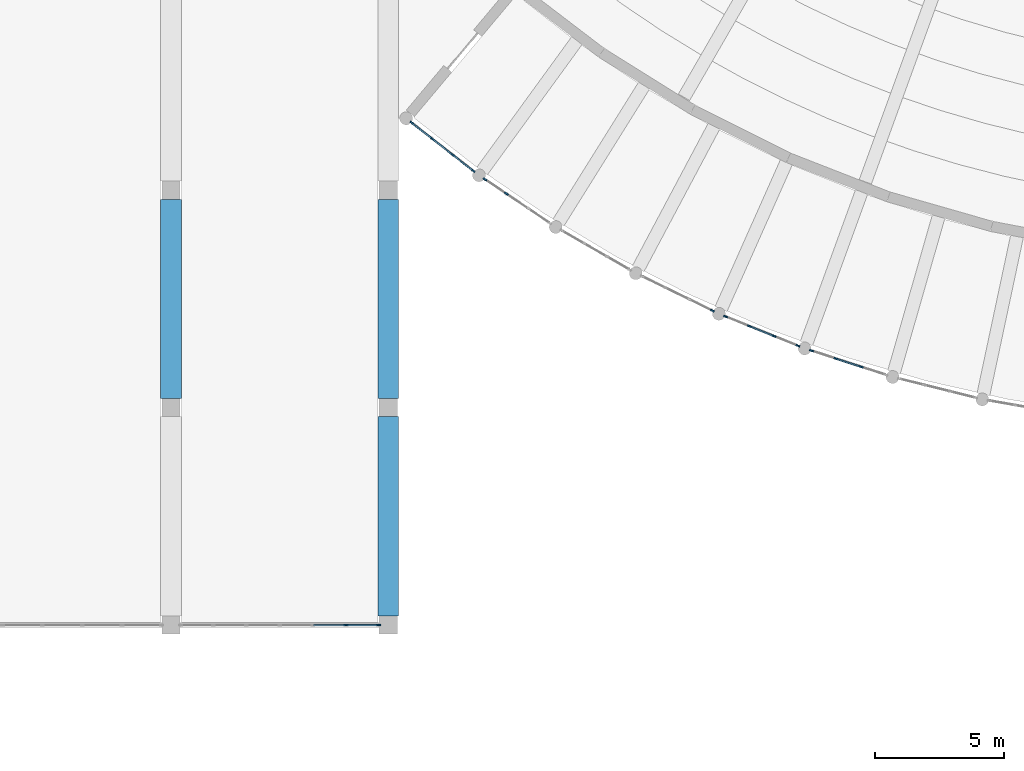
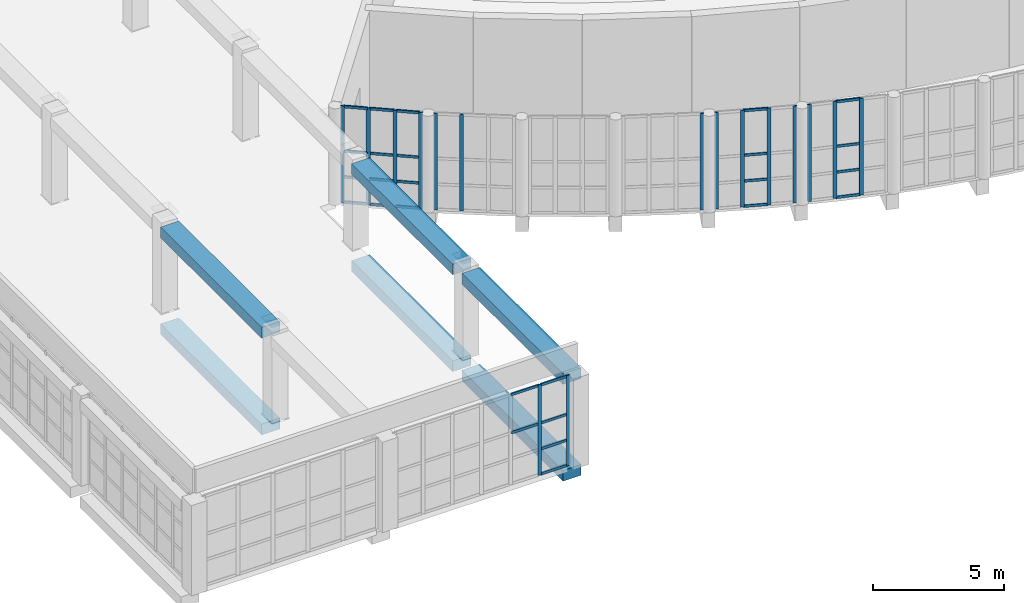
# One storey, part 38 of 162: 42 members, 6 beams, 6 elements without a shape of their own.
"""IFC4 building model written with IfcOpenShell, lengths in metres."""

from ifc_helpers import new_model, si_unit, direction, frame, origin, origin_2d, place, context, subcontext, project, spatial, rectangle, extrude, material, layer, layer_set, material_profile, profile_set, type_object, element, aggregate, save


model = new_model("IFC4")

# Units and contexts
model_context = context("Model", 3, precision=1e-05, world=origin(), true_north=direction((0.0, 1.0)))
body_context = subcontext(model_context, "Body", "Model", "MODEL_VIEW")
ifc_project = project(units=[si_unit("LENGTHUNIT", "METRE"), si_unit("AREAUNIT", "SQUARE_METRE"), si_unit("VOLUMEUNIT", "CUBIC_METRE"), si_unit("PLANEANGLEUNIT", "RADIAN"), si_unit("MASSUNIT", "GRAM", prefix="KILO")], contexts=[model_context])

# Site, building, storey
site_placement = place(None, origin())
site = spatial("IfcSite", under=ifc_project, at=site_placement, CompositionType="ELEMENT")
building_placement = place(site_placement, origin())
building = spatial("IfcBuilding", under=site, at=building_placement, Name="Rain Tree Exposition and Congress Centre", CompositionType="ELEMENT")
storey_placement = place(building_placement, frame((0.0, 0.0, 6.0)))
storey = spatial("IfcBuildingStorey", under=building, at=storey_placement, Name="L01", CompositionType="ELEMENT", Elevation=6.0)

# Curtain wall, members
ifc_material_1 = material(Name="Aluminium", Category="aluminium")
ifc_layer = layer(ifc_material_1, 0.10009765625)
ifc_layer_set = layer_set([ifc_layer], Name="Aluminium")
curtain_wall_type = type_object("IfcCurtainWallType", Name="Curtain wall congress", PredefinedType="NOTDEFINED", material=ifc_layer_set)
curtain_wall_1_placement = place(storey_placement, origin())
curtain_wall_1 = element("IfcCurtainWall", 1, at=curtain_wall_1_placement, inside=storey, type_object=curtain_wall_type, Name="Curtain wall L01 bay 1", PredefinedType="NOTDEFINED")
ifc_material_2 = material(Name="Aluminium", Category="aluminium")
ifc_material_profile_1 = material_profile(ifc_material_2, rectangle(XDim=0.06005859375, YDim=0.159912109375, at=origin_2d()), Name="AL 60x160")
ifc_profile_set_1 = profile_set([ifc_material_profile_1], Name="Aluminium")
member_type_1 = type_object("IfcMemberType", Name="Curtain wall mullion 60x160 congress", PredefinedType="MULLION", material=ifc_profile_set_1)
member_1_placement = place(storey_placement, frame((168.909912109375, 27.80615234375, 0.0), z_axis=(0.0, 0.0, 1.0), x_axis=(0.615671189348, 0.788003164084, 0.0)))
member_1 = element("IfcMember", 2, at=member_1_placement, type_object=member_type_1, Name="CWG201 mullion 1", PredefinedType="MULLION", context=body_context, shape_type="SweptSolid", body=[
    extrude(rectangle(XDim=0.06005859375, YDim=0.159912109375, at=origin_2d()), origin(), (0.0, 0.0, 1.0), 4.5),
])
member_2_placement = place(storey_placement, frame((169.693603515625, 27.19384765625, 0.0), z_axis=(0.0, 0.0, 1.0), x_axis=(0.615671189348, 0.788003164084, 0.0)))
member_2 = element("IfcMember", 3, at=member_2_placement, type_object=member_type_1, Name="CWG201 mullion 2", PredefinedType="MULLION", context=body_context, shape_type="SweptSolid", body=[
    extrude(rectangle(XDim=0.06005859375, YDim=0.159912109375, at=origin_2d()), origin(), (0.0, 0.0, 1.0), 4.5),
])
member_3_placement = place(storey_placement, frame((170.5009765625, 26.56298828125, 0.0), z_axis=(0.0, 0.0, 1.0), x_axis=(0.615671189348, 0.788003164084, 0.0)))
member_3 = element("IfcMember", 4, at=member_3_placement, type_object=member_type_1, Name="CWG201 mullion 3", PredefinedType="MULLION", context=body_context, shape_type="SweptSolid", body=[
    extrude(rectangle(XDim=0.06005859375, YDim=0.159912109375, at=origin_2d()), origin(), (0.0, 0.0, 1.0), 4.5),
])
member_4_placement = place(storey_placement, frame((171.28466796875, 25.95068359375, 0.0), z_axis=(0.0, 0.0, 1.0), x_axis=(0.615671189348, 0.788003164084, 0.0)))
member_4 = element("IfcMember", 5, at=member_4_placement, type_object=member_type_1, Name="CWG201 mullion 4", PredefinedType="MULLION", context=body_context, shape_type="SweptSolid", body=[
    extrude(rectangle(XDim=0.06005859375, YDim=0.159912109375, at=origin_2d()), origin(), (0.0, 0.0, 1.0), 4.5),
])

curtain_wall_2_placement = place(storey_placement, origin())
curtain_wall_2 = element("IfcCurtainWall", 6, at=curtain_wall_2_placement, inside=storey, type_object=curtain_wall_type, Name="Curtain wall L01 bay 2", PredefinedType="NOTDEFINED")
member_5_placement = place(storey_placement, frame((171.737548828125, 25.621826171875, 0.0), z_axis=(0.0, 0.0, 1.0), x_axis=(0.559196793659, 0.829034948577, 0.0)))
member_5 = element("IfcMember", 7, at=member_5_placement, type_object=member_type_1, Name="CWG202 mullion 1", PredefinedType="MULLION", context=body_context, shape_type="SweptSolid", body=[
    extrude(rectangle(XDim=0.06005859375, YDim=0.159912109375, at=origin_2d()), origin(), (0.0, 0.0, 1.0), 4.5),
])
member_6_placement = place(storey_placement, frame((172.56201171875, 25.065673828125, 0.0), z_axis=(0.0, 0.0, 1.0), x_axis=(0.559196793659, 0.829034948577, 0.0)))
member_6 = element("IfcMember", 8, at=member_6_placement, type_object=member_type_1, Name="CWG202 mullion 2", PredefinedType="MULLION", context=body_context, shape_type="SweptSolid", body=[
    extrude(rectangle(XDim=0.06005859375, YDim=0.159912109375, at=origin_2d()), origin(), (0.0, 0.0, 1.0), 4.5),
])
aggregate(curtain_wall_2, [member_5, member_6])

# Curtain wall, member
curtain_wall_3_placement = place(storey_placement, origin())
curtain_wall_3 = element("IfcCurtainWall", 9, at=curtain_wall_3_placement, inside=storey, type_object=curtain_wall_type, Name="Curtain wall L01 bay 4", PredefinedType="NOTDEFINED")
member_7_placement = place(storey_placement, frame((180.5234375, 20.54931640625, 0.0), z_axis=(0.0, 0.0, 1.0), x_axis=(0.438368505628, 0.898795334475, 0.0)))
member_7 = element("IfcMember", 10, at=member_7_placement, type_object=member_type_1, Name="CWG204 mullion 4", PredefinedType="MULLION", context=body_context, shape_type="SweptSolid", body=[
    extrude(rectangle(XDim=0.06005859375, YDim=0.159912109375, at=origin_2d()), origin(), (0.0, 0.0, 1.0), 4.5),
])
aggregate(curtain_wall_3, [member_7])

# Curtain wall, members
curtain_wall_4_placement = place(storey_placement, origin())
curtain_wall_4 = element("IfcCurtainWall", 11, at=curtain_wall_4_placement, inside=storey, type_object=curtain_wall_type, Name="Curtain wall L01 bay 5", PredefinedType="NOTDEFINED")
member_8_placement = place(storey_placement, frame((181.03466796875, 20.321533203125, 0.0), z_axis=(0.0, 0.0, 1.0), x_axis=(0.374596988714, 0.92718773506, 0.0)))
member_8 = element("IfcMember", 12, at=member_8_placement, type_object=member_type_1, Name="CWG205 mullion 1", PredefinedType="MULLION", context=body_context, shape_type="SweptSolid", body=[
    extrude(rectangle(XDim=0.06005859375, YDim=0.159912109375, at=origin_2d()), origin(), (0.0, 0.0, 1.0), 4.5),
])
member_9_placement = place(storey_placement, frame((181.956787109375, 19.948974609375, 0.0), z_axis=(0.0, 0.0, 1.0), x_axis=(0.374596988714, 0.92718773506, 0.0)))
member_9 = element("IfcMember", 13, at=member_9_placement, type_object=member_type_1, Name="CWG205 mullion 2", PredefinedType="MULLION", context=body_context, shape_type="SweptSolid", body=[
    extrude(rectangle(XDim=0.06005859375, YDim=0.159912109375, at=origin_2d()), origin(), (0.0, 0.0, 1.0), 4.5),
])
member_10_placement = place(storey_placement, frame((182.90673828125, 19.565185546875, 0.0), z_axis=(0.0, 0.0, 1.0), x_axis=(0.374596988714, 0.92718773506, 0.0)))
member_10 = element("IfcMember", 14, at=member_10_placement, type_object=member_type_1, Name="CWG205 mullion 3", PredefinedType="MULLION", context=body_context, shape_type="SweptSolid", body=[
    extrude(rectangle(XDim=0.06005859375, YDim=0.159912109375, at=origin_2d()), origin(), (0.0, 0.0, 1.0), 4.5),
])
member_11_placement = place(storey_placement, frame((183.8291015625, 19.192626953125, 0.0), z_axis=(0.0, 0.0, 1.0), x_axis=(0.374596988714, 0.92718773506, 0.0)))
member_11 = element("IfcMember", 15, at=member_11_placement, type_object=member_type_1, Name="CWG205 mullion 4", PredefinedType="MULLION", context=body_context, shape_type="SweptSolid", body=[
    extrude(rectangle(XDim=0.06005859375, YDim=0.159912109375, at=origin_2d()), origin(), (0.0, 0.0, 1.0), 4.5),
])

curtain_wall_5_placement = place(storey_placement, origin())
curtain_wall_5 = element("IfcCurtainWall", 16, at=curtain_wall_5_placement, inside=storey, type_object=curtain_wall_type, Name="Curtain wall L01 bay 6", PredefinedType="NOTDEFINED")
member_12_placement = place(storey_placement, frame((184.354736328125, 19.001220703125, 0.0), z_axis=(0.0, 0.0, 1.0), x_axis=(0.309005886225, 0.95106012548, 0.0)))
member_12 = element("IfcMember", 17, at=member_12_placement, type_object=member_type_1, Name="CWG206 mullion 1", PredefinedType="MULLION", context=body_context, shape_type="SweptSolid", body=[
    extrude(rectangle(XDim=0.06005859375, YDim=0.159912109375, at=origin_2d()), origin(), (0.0, 0.0, 1.0), 4.5),
])
member_13_placement = place(storey_placement, frame((185.30078125, 18.69384765625, 0.0), z_axis=(0.0, 0.0, 1.0), x_axis=(0.309005886225, 0.95106012548, 0.0)))
member_13 = element("IfcMember", 18, at=member_13_placement, type_object=member_type_1, Name="CWG206 mullion 2", PredefinedType="MULLION", context=body_context, shape_type="SweptSolid", body=[
    extrude(rectangle(XDim=0.06005859375, YDim=0.159912109375, at=origin_2d()), origin(), (0.0, 0.0, 1.0), 4.5),
])
member_14_placement = place(storey_placement, frame((186.275146484375, 18.377197265625, 0.0), z_axis=(0.0, 0.0, 1.0), x_axis=(0.309005886225, 0.95106012548, 0.0)))
member_14 = element("IfcMember", 19, at=member_14_placement, type_object=member_type_1, Name="CWG206 mullion 3", PredefinedType="MULLION", context=body_context, shape_type="SweptSolid", body=[
    extrude(rectangle(XDim=0.06005859375, YDim=0.159912109375, at=origin_2d()), origin(), (0.0, 0.0, 1.0), 4.5),
])

curtain_wall_6_placement = place(storey_placement, origin())
curtain_wall_6 = element("IfcCurtainWall", 20, at=curtain_wall_6_placement, inside=storey, type_object=curtain_wall_type, Name="Foyer south curtain wall L01 bay 2", PredefinedType="NOTDEFINED")
member_15_placement = place(storey_placement, frame((166.36669921875, 8.39990234375, 0.0), z_axis=(0.0, 0.0, 1.0), x_axis=(0.0, 1.0, 0.0)))
member_15 = element("IfcMember", 21, at=member_15_placement, type_object=member_type_1, Name="CWG602 mullion 6", PredefinedType="MULLION", context=body_context, shape_type="SweptSolid", body=[
    extrude(rectangle(XDim=0.06005859375, YDim=0.159912109375, at=origin_2d()), origin(), (0.0, 0.0, 1.0), 4.199951171875),
])
member_16_placement = place(storey_placement, frame((167.6201171875, 8.39990234375, 0.0), z_axis=(0.0, 0.0, 1.0), x_axis=(0.0, 1.0, 0.0)))
member_16 = element("IfcMember", 22, at=member_16_placement, type_object=member_type_1, Name="CWG602 mullion 7", PredefinedType="MULLION", context=body_context, shape_type="SweptSolid", body=[
    extrude(rectangle(XDim=0.06005859375, YDim=0.159912109375, at=origin_2d()), origin(), (0.0, 0.0, 1.0), 4.199951171875),
])

# Member
ifc_material_3 = material(Name="Aluminium", Category="aluminium")
ifc_material_profile_2 = material_profile(ifc_material_3, rectangle(XDim=0.06005859375, YDim=0.1201171875, at=origin_2d()), Name="AL 60x120")
ifc_profile_set_2 = profile_set([ifc_material_profile_2], Name="Aluminium")
member_type_2 = type_object("IfcMemberType", Name="Curtain wall transom 60x120 congress", PredefinedType="USERDEFINED", material=ifc_profile_set_2)
member_17_placement = place(storey_placement, frame((168.93359375, 27.78759765625, 0.030029296875), z_axis=(0.787929306804, -0.615765708268, 0.0), x_axis=(0.615765708268, 0.787929306804, 0.0)))
member_17 = element("IfcMember", 23, at=member_17_placement, type_object=member_type_2, Name="CWG201 transom 1.1", ObjectType="TRANSOM", PredefinedType="USERDEFINED", context=body_context, shape_type="SweptSolid", body=[
    extrude(rectangle(XDim=0.06005859375, YDim=0.1201171875, at=origin_2d()), origin(), (0.0, 0.0, 1.0), 0.9345703125),
])

member_18_placement = place(storey_placement, frame((168.93359375, 27.78759765625, 1.199951171875), z_axis=(0.787929306804, -0.615765708268, 0.0), x_axis=(0.615765708268, 0.787929306804, 0.0)))
member_18 = element("IfcMember", 24, at=member_18_placement, type_object=member_type_2, Name="CWG201 transom 1.2", ObjectType="TRANSOM", PredefinedType="USERDEFINED", context=body_context, shape_type="SweptSolid", body=[
    extrude(rectangle(XDim=0.06005859375, YDim=0.1201171875, at=origin_2d()), origin(), (0.0, 0.0, 1.0), 0.9345703125),
])

member_19_placement = place(storey_placement, frame((168.93359375, 27.78759765625, 2.39990234375), z_axis=(0.787929306804, -0.615765708268, 0.0), x_axis=(0.615765708268, 0.787929306804, 0.0)))
member_19 = element("IfcMember", 25, at=member_19_placement, type_object=member_type_2, Name="CWG201 transom 1.3", ObjectType="TRANSOM", PredefinedType="USERDEFINED", context=body_context, shape_type="SweptSolid", body=[
    extrude(rectangle(XDim=0.06005859375, YDim=0.1201171875, at=origin_2d()), origin(), (0.0, 0.0, 1.0), 0.9345703125),
])

member_20_placement = place(storey_placement, frame((168.93359375, 27.78759765625, 4.469970703125), z_axis=(0.787929306804, -0.615765708268, 0.0), x_axis=(0.615765708268, 0.787929306804, 0.0)))
member_20 = element("IfcMember", 26, at=member_20_placement, type_object=member_type_2, Name="CWG201 transom 1.4", ObjectType="TRANSOM", PredefinedType="USERDEFINED", context=body_context, shape_type="SweptSolid", body=[
    extrude(rectangle(XDim=0.06005859375, YDim=0.1201171875, at=origin_2d()), origin(), (0.0, 0.0, 1.0), 0.9345703125),
])

member_21_placement = place(storey_placement, frame((169.71728515625, 27.17529296875, 0.030029296875), z_axis=(0.788028211506, -0.61563912958, 0.0), x_axis=(0.61563912958, 0.788028211506, 0.0)))
member_21 = element("IfcMember", 27, at=member_21_placement, type_object=member_type_2, Name="CWG201 transom 2.1", ObjectType="TRANSOM", PredefinedType="USERDEFINED", context=body_context, shape_type="SweptSolid", body=[
    extrude(rectangle(XDim=0.06005859375, YDim=0.1201171875, at=origin_2d()), origin(), (0.0, 0.0, 1.0), 0.96435546875),
])

member_22_placement = place(storey_placement, frame((169.71728515625, 27.17529296875, 1.199951171875), z_axis=(0.788028211506, -0.61563912958, 0.0), x_axis=(0.61563912958, 0.788028211506, 0.0)))
member_22 = element("IfcMember", 28, at=member_22_placement, type_object=member_type_2, Name="CWG201 transom 2.2", ObjectType="TRANSOM", PredefinedType="USERDEFINED", context=body_context, shape_type="SweptSolid", body=[
    extrude(rectangle(XDim=0.06005859375, YDim=0.1201171875, at=origin_2d()), origin(), (0.0, 0.0, 1.0), 0.96435546875),
])

member_23_placement = place(storey_placement, frame((169.71728515625, 27.17529296875, 2.39990234375), z_axis=(0.788028211506, -0.61563912958, 0.0), x_axis=(0.61563912958, 0.788028211506, 0.0)))
member_23 = element("IfcMember", 29, at=member_23_placement, type_object=member_type_2, Name="CWG201 transom 2.3", ObjectType="TRANSOM", PredefinedType="USERDEFINED", context=body_context, shape_type="SweptSolid", body=[
    extrude(rectangle(XDim=0.06005859375, YDim=0.1201171875, at=origin_2d()), origin(), (0.0, 0.0, 1.0), 0.96435546875),
])

member_24_placement = place(storey_placement, frame((169.71728515625, 27.17529296875, 4.469970703125), z_axis=(0.788028211506, -0.61563912958, 0.0), x_axis=(0.61563912958, 0.788028211506, 0.0)))
member_24 = element("IfcMember", 30, at=member_24_placement, type_object=member_type_2, Name="CWG201 transom 2.4", ObjectType="TRANSOM", PredefinedType="USERDEFINED", context=body_context, shape_type="SweptSolid", body=[
    extrude(rectangle(XDim=0.06005859375, YDim=0.1201171875, at=origin_2d()), origin(), (0.0, 0.0, 1.0), 0.96435546875),
])

member_25_placement = place(storey_placement, frame((170.524658203125, 26.54443359375, 0.030029296875), z_axis=(0.788155054179, -0.615476734387, 0.0), x_axis=(0.615476734387, 0.788155054179, 0.0)))
member_25 = element("IfcMember", 31, at=member_25_placement, type_object=member_type_2, Name="CWG201 transom 3.1", ObjectType="TRANSOM", PredefinedType="USERDEFINED", context=body_context, shape_type="SweptSolid", body=[
    extrude(rectangle(XDim=0.06005859375, YDim=0.1201171875, at=origin_2d()), origin(), (0.0, 0.0, 1.0), 0.9345703125),
])

member_26_placement = place(storey_placement, frame((170.524658203125, 26.54443359375, 1.199951171875), z_axis=(0.788155054179, -0.615476734387, 0.0), x_axis=(0.615476734387, 0.788155054179, 0.0)))
member_26 = element("IfcMember", 32, at=member_26_placement, type_object=member_type_2, Name="CWG201 transom 3.2", ObjectType="TRANSOM", PredefinedType="USERDEFINED", context=body_context, shape_type="SweptSolid", body=[
    extrude(rectangle(XDim=0.06005859375, YDim=0.1201171875, at=origin_2d()), origin(), (0.0, 0.0, 1.0), 0.9345703125),
])

member_27_placement = place(storey_placement, frame((170.524658203125, 26.54443359375, 2.39990234375), z_axis=(0.788155054179, -0.615476734387, 0.0), x_axis=(0.615476734387, 0.788155054179, 0.0)))
member_27 = element("IfcMember", 33, at=member_27_placement, type_object=member_type_2, Name="CWG201 transom 3.3", ObjectType="TRANSOM", PredefinedType="USERDEFINED", context=body_context, shape_type="SweptSolid", body=[
    extrude(rectangle(XDim=0.06005859375, YDim=0.1201171875, at=origin_2d()), origin(), (0.0, 0.0, 1.0), 0.9345703125),
])

member_28_placement = place(storey_placement, frame((170.524658203125, 26.54443359375, 4.469970703125), z_axis=(0.788155054179, -0.615476734387, 0.0), x_axis=(0.615476734387, 0.788155054179, 0.0)))
member_28 = element("IfcMember", 34, at=member_28_placement, type_object=member_type_2, Name="CWG201 transom 3.4", ObjectType="TRANSOM", PredefinedType="USERDEFINED", context=body_context, shape_type="SweptSolid", body=[
    extrude(rectangle(XDim=0.06005859375, YDim=0.1201171875, at=origin_2d()), origin(), (0.0, 0.0, 1.0), 0.9345703125),
])

aggregate(curtain_wall_1, [member_1, member_2, member_3, member_4, member_17, member_18, member_19, member_20, member_21, member_22, member_23, member_24, member_25, member_26, member_27, member_28])

member_29_placement = place(storey_placement, frame((181.984619140625, 19.937744140625, 0.030029296875), z_axis=(0.927179288599, -0.374617894384, 0.0), x_axis=(0.374617894384, 0.927179288599, 0.0)))
member_29 = element("IfcMember", 35, at=member_29_placement, type_object=member_type_2, Name="CWG205 transom 2.1", ObjectType="TRANSOM", PredefinedType="USERDEFINED", context=body_context, shape_type="SweptSolid", body=[
    extrude(rectangle(XDim=0.06005859375, YDim=0.1201171875, at=origin_2d()), origin(), (0.0, 0.0, 1.0), 0.964599609375),
])

member_30_placement = place(storey_placement, frame((181.984619140625, 19.937744140625, 1.199951171875), z_axis=(0.927179288599, -0.374617894384, 0.0), x_axis=(0.374617894384, 0.927179288599, 0.0)))
member_30 = element("IfcMember", 36, at=member_30_placement, type_object=member_type_2, Name="CWG205 transom 2.2", ObjectType="TRANSOM", PredefinedType="USERDEFINED", context=body_context, shape_type="SweptSolid", body=[
    extrude(rectangle(XDim=0.06005859375, YDim=0.1201171875, at=origin_2d()), origin(), (0.0, 0.0, 1.0), 0.964599609375),
])

member_31_placement = place(storey_placement, frame((181.984619140625, 19.937744140625, 2.39990234375), z_axis=(0.927179288599, -0.374617894384, 0.0), x_axis=(0.374617894384, 0.927179288599, 0.0)))
member_31 = element("IfcMember", 37, at=member_31_placement, type_object=member_type_2, Name="CWG205 transom 2.3", ObjectType="TRANSOM", PredefinedType="USERDEFINED", context=body_context, shape_type="SweptSolid", body=[
    extrude(rectangle(XDim=0.06005859375, YDim=0.1201171875, at=origin_2d()), origin(), (0.0, 0.0, 1.0), 0.964599609375),
])

member_32_placement = place(storey_placement, frame((181.984619140625, 19.937744140625, 4.469970703125), z_axis=(0.927179288599, -0.374617894384, 0.0), x_axis=(0.374617894384, 0.927179288599, 0.0)))
member_32 = element("IfcMember", 38, at=member_32_placement, type_object=member_type_2, Name="CWG205 transom 2.4", ObjectType="TRANSOM", PredefinedType="USERDEFINED", context=body_context, shape_type="SweptSolid", body=[
    extrude(rectangle(XDim=0.06005859375, YDim=0.1201171875, at=origin_2d()), origin(), (0.0, 0.0, 1.0), 0.964599609375),
])

aggregate(curtain_wall_4, [member_8, member_9, member_10, member_11, member_29, member_30, member_31, member_32])

member_33_placement = place(storey_placement, frame((185.329345703125, 18.6845703125, 0.030029296875), z_axis=(0.951035928963, -0.309080348487, 0.0), x_axis=(0.309080348487, 0.951035928963, 0.0)))
member_33 = element("IfcMember", 39, at=member_33_placement, type_object=member_type_2, Name="CWG206 transom 2.1", ObjectType="TRANSOM", PredefinedType="USERDEFINED", context=body_context, shape_type="SweptSolid", body=[
    extrude(rectangle(XDim=0.06005859375, YDim=0.1201171875, at=origin_2d()), origin(), (0.0, 0.0, 1.0), 0.96435546875),
])

member_34_placement = place(storey_placement, frame((185.329345703125, 18.6845703125, 1.199951171875), z_axis=(0.951035928963, -0.309080348487, 0.0), x_axis=(0.309080348487, 0.951035928963, 0.0)))
member_34 = element("IfcMember", 40, at=member_34_placement, type_object=member_type_2, Name="CWG206 transom 2.2", ObjectType="TRANSOM", PredefinedType="USERDEFINED", context=body_context, shape_type="SweptSolid", body=[
    extrude(rectangle(XDim=0.06005859375, YDim=0.1201171875, at=origin_2d()), origin(), (0.0, 0.0, 1.0), 0.96435546875),
])

member_35_placement = place(storey_placement, frame((185.329345703125, 18.6845703125, 2.39990234375), z_axis=(0.951035928963, -0.309080348487, 0.0), x_axis=(0.309080348487, 0.951035928963, 0.0)))
member_35 = element("IfcMember", 41, at=member_35_placement, type_object=member_type_2, Name="CWG206 transom 2.3", ObjectType="TRANSOM", PredefinedType="USERDEFINED", context=body_context, shape_type="SweptSolid", body=[
    extrude(rectangle(XDim=0.06005859375, YDim=0.1201171875, at=origin_2d()), origin(), (0.0, 0.0, 1.0), 0.96435546875),
])

member_36_placement = place(storey_placement, frame((185.329345703125, 18.6845703125, 4.469970703125), z_axis=(0.951035928963, -0.309080348487, 0.0), x_axis=(0.309080348487, 0.951035928963, 0.0)))
member_36 = element("IfcMember", 42, at=member_36_placement, type_object=member_type_2, Name="CWG206 transom 2.4", ObjectType="TRANSOM", PredefinedType="USERDEFINED", context=body_context, shape_type="SweptSolid", body=[
    extrude(rectangle(XDim=0.06005859375, YDim=0.1201171875, at=origin_2d()), origin(), (0.0, 0.0, 1.0), 0.96435546875),
])

aggregate(curtain_wall_5, [member_12, member_13, member_14, member_33, member_34, member_35, member_36])

member_37_placement = place(storey_placement, frame((165.11328125, 8.39990234375, 2.39990234375), z_axis=(1.0, 0.0, 0.0), x_axis=(0.0, 1.0, 0.0)))
member_37 = element("IfcMember", 43, at=member_37_placement, type_object=member_type_2, Name="CWG602 transom 5.3", ObjectType="TRANSOM", PredefinedType="USERDEFINED", context=body_context, shape_type="SweptSolid", body=[
    extrude(rectangle(XDim=0.06005859375, YDim=0.1201171875, at=origin_2d()), origin(), (0.0, 0.0, 1.0), 1.223388671875),
])

member_38_placement = place(storey_placement, frame((165.11328125, 8.39990234375, 4.169921875), z_axis=(1.0, 0.0, 0.0), x_axis=(0.0, 1.0, 0.0)))
member_38 = element("IfcMember", 44, at=member_38_placement, type_object=member_type_2, Name="CWG602 transom 5.4", ObjectType="TRANSOM", PredefinedType="USERDEFINED", context=body_context, shape_type="SweptSolid", body=[
    extrude(rectangle(XDim=0.06005859375, YDim=0.1201171875, at=origin_2d()), origin(), (0.0, 0.0, 1.0), 1.223388671875),
])

member_39_placement = place(storey_placement, frame((166.396728515625, 8.39990234375, 0.030029296875), z_axis=(1.0, 0.0, 0.0), x_axis=(0.0, 1.0, 0.0)))
member_39 = element("IfcMember", 45, at=member_39_placement, type_object=member_type_2, Name="CWG602 transom 6.1", ObjectType="TRANSOM", PredefinedType="USERDEFINED", context=body_context, shape_type="SweptSolid", body=[
    extrude(rectangle(XDim=0.06005859375, YDim=0.1201171875, at=origin_2d()), origin(), (0.0, 0.0, 1.0), 1.193359375),
])

member_40_placement = place(storey_placement, frame((166.396728515625, 8.39990234375, 1.199951171875), z_axis=(1.0, 0.0, 0.0), x_axis=(0.0, 1.0, 0.0)))
member_40 = element("IfcMember", 46, at=member_40_placement, type_object=member_type_2, Name="CWG602 transom 6.2", ObjectType="TRANSOM", PredefinedType="USERDEFINED", context=body_context, shape_type="SweptSolid", body=[
    extrude(rectangle(XDim=0.06005859375, YDim=0.1201171875, at=origin_2d()), origin(), (0.0, 0.0, 1.0), 1.193359375),
])

member_41_placement = place(storey_placement, frame((166.396728515625, 8.39990234375, 2.39990234375), z_axis=(1.0, 0.0, 0.0), x_axis=(0.0, 1.0, 0.0)))
member_41 = element("IfcMember", 47, at=member_41_placement, type_object=member_type_2, Name="CWG602 transom 6.3", ObjectType="TRANSOM", PredefinedType="USERDEFINED", context=body_context, shape_type="SweptSolid", body=[
    extrude(rectangle(XDim=0.06005859375, YDim=0.1201171875, at=origin_2d()), origin(), (0.0, 0.0, 1.0), 1.193359375),
])

member_42_placement = place(storey_placement, frame((166.396728515625, 8.39990234375, 4.169921875), z_axis=(1.0, 0.0, 0.0), x_axis=(0.0, 1.0, 0.0)))
member_42 = element("IfcMember", 48, at=member_42_placement, type_object=member_type_2, Name="CWG602 transom 6.4", ObjectType="TRANSOM", PredefinedType="USERDEFINED", context=body_context, shape_type="SweptSolid", body=[
    extrude(rectangle(XDim=0.06005859375, YDim=0.1201171875, at=origin_2d()), origin(), (0.0, 0.0, 1.0), 1.193359375),
])

aggregate(curtain_wall_6, [member_15, member_16, member_37, member_38, member_39, member_40, member_41, member_42])

# Beams
ifc_material_4 = material(Name="Precast concrete C50/60", Category="concrete")
ifc_material_profile_3 = material_profile(ifc_material_4, rectangle(XDim=0.5, YDim=0.800048828125, at=origin_2d()), Name="RC 500x800")
ifc_profile_set_3 = profile_set([ifc_material_profile_3], Name="Precast concrete C50/60")
beam_type = type_object("IfcBeamType", Name="Precast beam 500x800", PredefinedType="BEAM", material=ifc_profile_set_3)
beam_1_placement = place(storey_placement, frame((159.60009765625, 17.14990234375, -0.699951171875), z_axis=(0.0, 1.0, 0.0), x_axis=(0.0, 0.0, 1.0)))
element("IfcBeam", 49, at=beam_1_placement, inside=storey, type_object=beam_type, Name="Foyer beam", PredefinedType="BEAM", context=body_context, shape_type="SweptSolid", body=[
    extrude(rectangle(XDim=0.5, YDim=0.800048828125, at=origin_2d()), origin(), (0.0, 0.0, 1.0), 7.7001953125),
])
beam_2_placement = place(storey_placement, frame((168.0, 8.75, -0.699951171875), z_axis=(0.0, 1.0, 0.0), x_axis=(0.0, 0.0, 1.0)))
element("IfcBeam", 50, at=beam_2_placement, inside=storey, type_object=beam_type, Name="Foyer beam", PredefinedType="BEAM", context=body_context, shape_type="SweptSolid", body=[
    extrude(rectangle(XDim=0.5, YDim=0.800048828125, at=origin_2d()), origin(), (0.0, 0.0, 1.0), 7.699951171875),
])
for number, where, z_axis, x_axis, name in (
    (51, (168.0, 17.14990234375, -0.699951171875), (0.0, 1.0, 0.0), (0.0, 0.0, 1.0), "Foyer beam"),
    (52, (159.60009765625, 17.14990234375, 3.800048828125), (0.0, 1.0, 0.0), (0.0, 0.0, 1.0), "Foyer beam"),
):
    element("IfcBeam", number, at=place(storey_placement, frame(where, z_axis=z_axis, x_axis=x_axis)), inside=storey, type_object=beam_type, Name=name, PredefinedType="BEAM", context=body_context, shape_type="SweptSolid", body=[
        extrude(rectangle(XDim=0.5, YDim=0.800048828125, at=origin_2d()), origin(), (0.0, 0.0, 1.0), 7.7001953125),
    ])
beam_3_placement = place(storey_placement, frame((168.0, 8.75, 3.800048828125), z_axis=(0.0, 1.0, 0.0), x_axis=(0.0, 0.0, 1.0)))
element("IfcBeam", 53, at=beam_3_placement, inside=storey, type_object=beam_type, Name="Foyer beam", PredefinedType="BEAM", context=body_context, shape_type="SweptSolid", body=[
    extrude(rectangle(XDim=0.5, YDim=0.800048828125, at=origin_2d()), origin(), (0.0, 0.0, 1.0), 7.699951171875),
])
beam_4_placement = place(storey_placement, frame((168.0, 17.14990234375, 3.800048828125), z_axis=(0.0, 1.0, 0.0), x_axis=(0.0, 0.0, 1.0)))
element("IfcBeam", 54, at=beam_4_placement, inside=storey, type_object=beam_type, Name="Foyer beam", PredefinedType="BEAM", context=body_context, shape_type="SweptSolid", body=[
    extrude(rectangle(XDim=0.5, YDim=0.800048828125, at=origin_2d()), origin(), (0.0, 0.0, 1.0), 7.7001953125),
])

save(model, "model.ifc")
